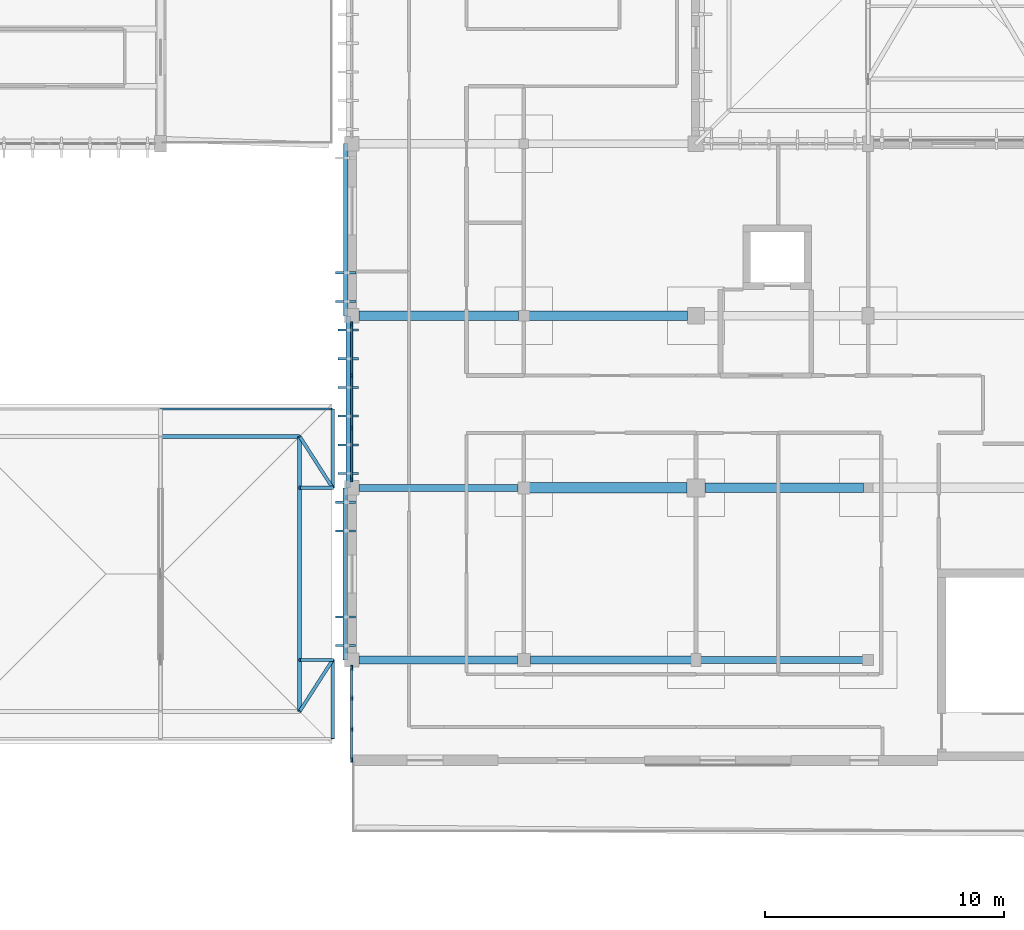
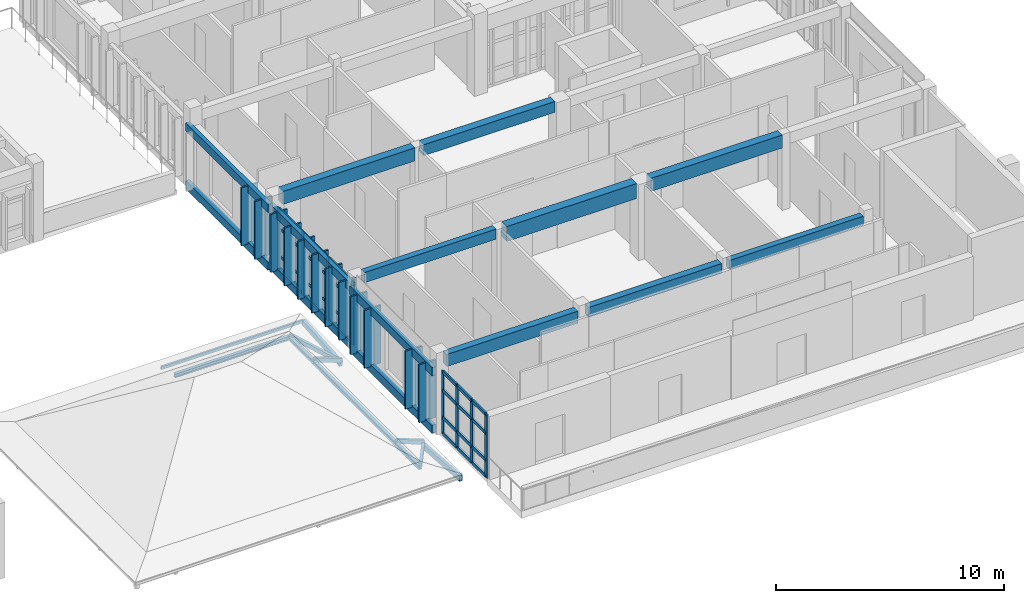
# One storey, part 9 of 51: 55 members, 14 beams, 2 elements without a shape of their own.
"""IFC4 building model written with IfcOpenShell, lengths in metres."""

import ifcopenshell
import ifcopenshell.guid

model = None  # the IFC model being written
_history = None  # IfcOwnerHistory: only IFC2X3 demands one
_inside = {}  # id of a spatial element -> (the spatial element, [elements in it])
_under = {}  # id of a project, library or spatial element -> (it, [spatial elements below it])
_declared = {}  # id of a project -> (the project, [libraries it declares])
_typed = {}  # id of a type object -> (the type object, [elements of that type])
_made_of = {}  # id of a material, layer set ... -> (it, [elements and type objects made of it])


def new_model(schema):
    """Start an empty IFC model of exactly this schema.

    Asked for "IFC4X3", IfcOpenShell would pick the latest addendum, in which some entities
    have other attributes; the version numbers below select the first issue.
    IFC2X3 requires an IfcOwnerHistory on every rooted entity: one is made here for all.
    """
    global model, _history
    if schema == "IFC4X3":
        model = ifcopenshell.file(schema_version=(4, 3, 0, 0))
    else:
        model = ifcopenshell.file(schema=schema)
    _inside.clear()
    _under.clear()
    _declared.clear()
    _typed.clear()
    _made_of.clear()
    _history = None
    if model.schema == "IFC2X3":
        org = make("IfcOrganization", Name="unknown")
        user = make(
            "IfcPersonAndOrganization",
            ThePerson=make("IfcPerson", FamilyName="unknown"),
            TheOrganization=org,
        )
        app = make(
            "IfcApplication",
            ApplicationDeveloper=org,
            Version="unknown",
            ApplicationFullName="unknown",
            ApplicationIdentifier="unknown",
        )
        _history = make(
            "IfcOwnerHistory",
            OwningUser=user,
            OwningApplication=app,
            ChangeAction="ADDED",
            CreationDate=0,
        )
    return model


def make(cls, **values):
    """One entity of the class cls with the attributes given. An attribute that is None is left unset."""
    return model.create_entity(
        cls, **{name: value for name, value in values.items() if value is not None}
    )


def rooted(cls, **values):
    """An entity with a GlobalId (a new one), such as an element, a storey or a relation."""
    return make(cls, GlobalId=ifcopenshell.guid.new(), OwnerHistory=_history, **values)


def si_unit(unit_type, name, prefix=None):
    """IfcSIUnit, for example si_unit("LENGTHUNIT", "METRE", prefix="MILLI")."""
    return make("IfcSIUnit", UnitType=unit_type, Prefix=prefix, Name=name)


def assignment(units):
    """IfcUnitAssignment: the units of a project."""
    return None if units is None else make("IfcUnitAssignment", Units=units)


def point(xyz):
    """IfcCartesianPoint."""
    return None if xyz is None else make("IfcCartesianPoint", Coordinates=xyz)


def direction(xyz):
    """IfcDirection."""
    return None if xyz is None else make("IfcDirection", DirectionRatios=xyz)


def frame(location, z_axis=None, x_axis=None):
    """IfcAxis2Placement3D, a coordinate frame: its origin and axes. An axis left out is left unset."""
    return make(
        "IfcAxis2Placement3D",
        Location=point(location),
        Axis=direction(z_axis),
        RefDirection=direction(x_axis),
    )


def frame_2d(location, x_axis=None):
    """IfcAxis2Placement2D, a coordinate frame in the plane: its origin and x axis."""
    return make(
        "IfcAxis2Placement2D", Location=point(location), RefDirection=direction(x_axis)
    )


def origin():
    """The frame at (0, 0, 0) with its axes left unset."""
    return frame((0.0, 0.0, 0.0))


def origin_2d():
    """The frame at (0, 0) in the plane with its x axis left unset."""
    return frame_2d((0.0, 0.0))


def place(relative_to, where):
    """IfcLocalPlacement: puts the frame where relative to a parent placement (None: the world)."""
    return make(
        "IfcLocalPlacement", PlacementRelTo=relative_to, RelativePlacement=where
    )


def context(
    kind, dimensions, precision=None, world=None, true_north=None, identifier=None
):
    """IfcGeometricRepresentationContext, for example the 3D "Model" context."""
    return make(
        "IfcGeometricRepresentationContext",
        ContextIdentifier=identifier,
        ContextType=kind,
        CoordinateSpaceDimension=dimensions,
        Precision=precision,
        WorldCoordinateSystem=world,
        TrueNorth=true_north,
    )


def subcontext(parent, identifier, kind, view, scale=None):
    """IfcGeometricRepresentationSubContext, for example "Body" below "Model"."""
    return make(
        "IfcGeometricRepresentationSubContext",
        ContextIdentifier=identifier,
        ContextType=kind,
        ParentContext=parent,
        TargetScale=scale,
        TargetView=view,
    )


def project(units=None, contexts=None):
    """IfcProject with its units and contexts."""
    return rooted(
        "IfcProject",
        Name="project",
        RepresentationContexts=contexts,
        UnitsInContext=assignment(units),
    )


def spatial(cls, under=None, at=None, **own):
    """A site, building, storey or space (cls), placed at a placement, below another one or the project."""
    s = rooted(cls, ObjectPlacement=at, **own)
    if under is not None:
        _under.setdefault(under.id(), (under, []))[1].append(s)
    return s


def profile(cls, at=None, kind="AREA", **sizes):
    """A parametric profile (cls). Its sizes go by their IFC names, for example OverallWidth=200.0."""
    return make(cls, ProfileType=kind, Position=at, **sizes)


def rectangle(**sizes):
    """IfcRectangleProfileDef."""
    return profile("IfcRectangleProfileDef", **sizes)


def hollow_rectangle(**sizes):
    """IfcRectangleHollowProfileDef."""
    return profile("IfcRectangleHollowProfileDef", **sizes)


def i_section(**sizes):
    """IfcIShapeProfileDef."""
    return profile("IfcIShapeProfileDef", **sizes)


def extrude(swept, where, along, depth):
    """IfcExtrudedAreaSolid: the profile swept, set in the frame where, extruded along a direction by depth."""
    return make(
        "IfcExtrudedAreaSolid",
        SweptArea=swept,
        Position=where,
        ExtrudedDirection=direction(along),
        Depth=depth,
    )


def shape(context_of_items, identifier, shape_type, items):
    """IfcShapeRepresentation: the items that make up one representation, for example the "Body"."""
    return make(
        "IfcShapeRepresentation",
        ContextOfItems=context_of_items,
        RepresentationIdentifier=identifier,
        RepresentationType=shape_type,
        Items=items,
    )


def material(Name=None, Category=None):
    """IfcMaterial."""
    return make("IfcMaterial", Name=Name, Category=Category)


def material_profile(
    of_material, cross_section, Name=None, Category=None, Priority=None
):
    """IfcMaterialProfile: a cross section and its material."""
    return make(
        "IfcMaterialProfile",
        Name=Name,
        Material=of_material,
        Profile=cross_section,
        Priority=Priority,
        Category=Category,
    )


def profile_set(profiles, Name=None, composite=None):
    """IfcMaterialProfileSet."""
    return make(
        "IfcMaterialProfileSet",
        Name=Name,
        MaterialProfiles=profiles,
        CompositeProfile=composite,
    )


def made_of(thing, what):
    """Note that an element or type object is made of a material, layer set ...; save() writes the relation."""
    if what is not None:
        _made_of.setdefault(what.id(), (what, []))[1].append(thing)
    return thing


def type_object(cls, material=None, **own):
    """A type object (cls), such as IfcWallType, which elements share."""
    return made_of(rooted(cls, **own), material)


def element(
    cls,
    number,
    at=None,
    inside=None,
    cuts=None,
    type_object=None,
    material=None,
    context=None,
    identifier="Body",
    shape_type=None,
    held_by="IfcProductDefinitionShape",
    body=None,
    shapes=None,
    **own,
):
    """One element of the class cls, such as IfcWall. Its Tag is "e" and its number.

    at: its placement. inside: the storey or other place that contains it. cuts: it is an
    opening in that element (IfcRelVoidsElement). A single representation is given by context,
    identifier, shape_type and body (its items); several are given by shapes. held_by: the class
    of the entity that holds the representations. save() writes the other relations.
    """
    e = rooted(cls, Tag="e%d" % number, ObjectPlacement=at, **own)
    if body is not None:
        shapes = [shape(context, identifier, shape_type, body)]
    if shapes is not None:
        e.Representation = make(held_by, Representations=shapes)
    if inside is not None:
        _inside.setdefault(inside.id(), (inside, []))[1].append(e)
    if cuts is not None:
        rooted(
            "IfcRelVoidsElement", RelatingBuildingElement=cuts, RelatedOpeningElement=e
        )
    if type_object is not None:
        _typed.setdefault(type_object.id(), (type_object, []))[1].append(e)
    return made_of(e, material)


def aggregate(whole, parts):
    """IfcRelAggregates: a whole, such as a stair, and the parts it consists of."""
    return rooted("IfcRelAggregates", RelatingObject=whole, RelatedObjects=parts)


def save(model, path):
    """Write the relations noted so far, then the file.

    IfcRelAggregates (storeys below a building ...), IfcRelContainedInSpatialStructure (elements
    in a storey), IfcRelDefinesByType, IfcRelAssociatesMaterial and IfcRelDeclares: one each for
    every whole, place, type object, material and project.
    """
    for whole, parts in _under.values():
        aggregate(whole, parts)
    for where, things in _inside.values():
        rooted(
            "IfcRelContainedInSpatialStructure",
            RelatedElements=things,
            RelatingStructure=where,
        )
    for kind, things in _typed.values():
        rooted("IfcRelDefinesByType", RelatedObjects=things, RelatingType=kind)
    for what, things in _made_of.values():
        rooted("IfcRelAssociatesMaterial", RelatedObjects=things, RelatingMaterial=what)
    for by, libraries in _declared.values():
        rooted("IfcRelDeclares", RelatingContext=by, RelatedDefinitions=libraries)
    model.write(path)


model = new_model("IFC4")

# Units and contexts
model_context = context("Model", 3, precision=1e-05, world=origin(), true_north=direction((0.0, 1.0)))
body_context = subcontext(model_context, "Body", "Model", "MODEL_VIEW")
ifc_project = project(units=[si_unit("LENGTHUNIT", "METRE"), si_unit("AREAUNIT", "SQUARE_METRE"), si_unit("VOLUMEUNIT", "CUBIC_METRE"), si_unit("PLANEANGLEUNIT", "RADIAN"), si_unit("MASSUNIT", "GRAM", prefix="KILO")], contexts=[model_context])

# Site, building, storey
site_placement = place(None, origin())
site = spatial("IfcSite", under=ifc_project, at=site_placement, CompositionType="ELEMENT")
building_placement = place(site_placement, origin())
building = spatial("IfcBuilding", under=site, at=building_placement, Name="Steenspoor Specialist Clinic", CompositionType="ELEMENT")
storey_placement = place(building_placement, frame((0.0, 0.0, 17.39990234375)))
storey = spatial("IfcBuildingStorey", under=building, at=storey_placement, Name="L04", CompositionType="ELEMENT", Elevation=17.39990234375)

# Beams
ifc_material_1 = material(Name="Glulam GL28h", Category="wood")
ifc_material_profile_1 = material_profile(ifc_material_1, rectangle(XDim=0.199951171875, YDim=0.43994140625, at=origin_2d()), Name="GL28H-200X440")
ifc_profile_set_1 = profile_set([ifc_material_profile_1], Name="Glulam GL28h")
beam_type_1 = type_object("IfcBeamType", Name="BM-GL-200X440", PredefinedType="BEAM", material=ifc_profile_set_1)
for number, where, z_axis, x_axis, name in (
    (1, (117.735107421875, 72.35009765625, 0.14013671875), (0.0, 1.0, 0.0), (-1.0, 0.0, 0.0), "Timber Screen Tie Rail V6 L04 249"),
    (2, (117.735107421875, 72.35009765625, 3.22998046875), (0.0, 1.0, 0.0), (-1.0, 0.0, 0.0), "Timber Screen Tie Rail V6 L04 250"),
    (3, (117.85009765625, 79.550048828125, 0.14013671875), (0.0, 1.0, 0.0), (-1.0, 0.0, 0.0), "Timber Screen Tie Rail V6 L04 255"),
    (4, (117.85009765625, 79.550048828125, 3.22998046875), (0.0, 1.0, 0.0), (-1.0, 0.0, 0.0), "Timber Screen Tie Rail V6 L04 256"),
    (5, (117.75, 86.75, 0.14013671875), (0.0, 1.0, 0.0), (-1.0, 0.0, 0.0), "Timber Screen Tie Rail V6 L04 263"),
    (6, (117.75, 86.75, 3.22998046875), (0.0, 1.0, 0.0), (-1.0, 0.0, 0.0), "Timber Screen Tie Rail V6 L04 264"),
):
    element("IfcBeam", number, at=place(storey_placement, frame(where, z_axis=z_axis, x_axis=x_axis)), inside=storey, type_object=beam_type_1, Name=name, PredefinedType="BEAM", context=body_context, shape_type="SweptSolid", body=[
        extrude(rectangle(XDim=0.199951171875, YDim=0.43994140625, at=origin_2d()), origin(), (0.0, 0.0, 1.0), 7.199951171875),
    ])
ifc_material_2 = material(Name="Concrete C35/45", Category="concrete")
ifc_material_profile_2 = material_profile(ifc_material_2, rectangle(XDim=0.300048828125, YDim=0.47998046875, at=origin_2d()), Name="RC-BM-300X480")
ifc_profile_set_2 = profile_set([ifc_material_profile_2], Name="Concrete C35/45")
beam_type_2 = type_object("IfcBeamType", Name="BM-RC-300X480", PredefinedType="BEAM", material=ifc_profile_set_2)
beam_1_placement = place(storey_placement, frame((132.594970703125, 72.35009765625, 3.795166015625), z_axis=(1.0, 0.0, 0.0), x_axis=(0.0, 1.0, 0.0)))
element("IfcBeam", 7, at=beam_1_placement, inside=storey, type_object=beam_type_2, Name="BM-V6-L04-X1787", PredefinedType="BEAM", context=body_context, shape_type="SweptSolid", body=[
    extrude(rectangle(XDim=0.300048828125, YDim=0.47998046875, at=origin_2d()), origin(), (0.0, 0.0, 1.0), 6.784912109375),
])
ifc_material_profile_3 = material_profile(ifc_material_2, rectangle(XDim=0.300048828125, YDim=0.550048828125, at=origin_2d()), Name="RC-BM-300X550")
ifc_profile_set_3 = profile_set([ifc_material_profile_3], Name="Concrete C35/45")
beam_type_3 = type_object("IfcBeamType", Name="BM-RC-300X550", PredefinedType="BEAM", material=ifc_profile_set_3)
beam_2_placement = place(storey_placement, frame((118.294921875, 79.550048828125, 3.760009765625), z_axis=(1.0, 0.0, 0.0), x_axis=(0.0, 1.0, 0.0)))
element("IfcBeam", 8, at=beam_2_placement, inside=storey, type_object=beam_type_3, Name="BM-V6-L04-X1788", PredefinedType="BEAM", context=body_context, shape_type="SweptSolid", body=[
    extrude(rectangle(XDim=0.300048828125, YDim=0.550048828125, at=origin_2d()), origin(), (0.0, 0.0, 1.0), 6.66015625),
])
ifc_material_profile_4 = material_profile(ifc_material_2, rectangle(XDim=0.35009765625, YDim=0.52001953125, at=origin_2d()), Name="RC-BM-350X520")
ifc_profile_set_4 = profile_set([ifc_material_profile_4], Name="Concrete C35/45")
beam_type_4 = type_object("IfcBeamType", Name="BM-RC-350X520", PredefinedType="BEAM", material=ifc_profile_set_4)
beam_3_placement = place(storey_placement, frame((125.469970703125, 72.35009765625, 3.775146484375), z_axis=(1.0, 0.0, 0.0), x_axis=(0.0, 1.0, 0.0)))
element("IfcBeam", 9, at=beam_3_placement, inside=storey, type_object=beam_type_4, Name="BM-V6-L04-X1786", PredefinedType="BEAM", context=body_context, shape_type="SweptSolid", body=[
    extrude(rectangle(XDim=0.35009765625, YDim=0.52001953125, at=origin_2d()), origin(), (0.0, 0.0, 1.0), 6.735107421875),
])
ifc_material_profile_5 = material_profile(ifc_material_2, rectangle(XDim=0.35009765625, YDim=0.64990234375, at=origin_2d()), Name="RC-BM-350X650")
ifc_profile_set_5 = profile_set([ifc_material_profile_5], Name="Concrete C35/45")
beam_type_5 = type_object("IfcBeamType", Name="BM-RC-350X650", PredefinedType="BEAM", material=ifc_profile_set_5)
beam_4_placement = place(storey_placement, frame((118.294921875, 72.35009765625, 3.710205078125), z_axis=(1.0, 0.0, 0.0), x_axis=(0.0, 1.0, 0.0)))
element("IfcBeam", 10, at=beam_4_placement, inside=storey, type_object=beam_type_5, Name="BM-V6-L04-X1785", PredefinedType="BEAM", context=body_context, shape_type="SweptSolid", body=[
    extrude(rectangle(XDim=0.35009765625, YDim=0.64990234375, at=origin_2d()), origin(), (0.0, 0.0, 1.0), 6.635009765625),
])
ifc_material_profile_6 = material_profile(ifc_material_2, rectangle(XDim=0.39990234375, YDim=0.580078125, at=origin_2d()), Name="RC-BM-400X580")
ifc_profile_set_6 = profile_set([ifc_material_profile_6], Name="Concrete C35/45")
beam_type_6 = type_object("IfcBeamType", Name="BM-RC-400X580", PredefinedType="BEAM", material=ifc_profile_set_6)
beam_5_placement = place(storey_placement, frame((125.419921875, 86.75, 3.7451171875), z_axis=(1.0, 0.0, 0.0), x_axis=(0.0, 1.0, 0.0)))
element("IfcBeam", 11, at=beam_5_placement, inside=storey, type_object=beam_type_6, Name="BM-V6-L04-X1793", PredefinedType="BEAM", context=body_context, shape_type="SweptSolid", body=[
    extrude(rectangle(XDim=0.39990234375, YDim=0.580078125, at=origin_2d()), origin(), (0.0, 0.0, 1.0), 6.635009765625),
])
ifc_material_profile_7 = material_profile(ifc_material_2, rectangle(XDim=0.39990234375, YDim=0.699951171875, at=origin_2d()), Name="RC-BM-400X700")
ifc_profile_set_7 = profile_set([ifc_material_profile_7], Name="Concrete C35/45")
beam_type_7 = type_object("IfcBeamType", Name="BM-RC-400X700", PredefinedType="BEAM", material=ifc_profile_set_7)
beam_6_placement = place(storey_placement, frame((132.77001953125, 79.550048828125, 3.68505859375), z_axis=(1.0, 0.0, 0.0), x_axis=(0.0, 1.0, 0.0)))
element("IfcBeam", 12, at=beam_6_placement, inside=storey, type_object=beam_type_7, Name="BM-V6-L04-X1790", PredefinedType="BEAM", context=body_context, shape_type="SweptSolid", body=[
    extrude(rectangle(XDim=0.39990234375, YDim=0.699951171875, at=origin_2d()), origin(), (0.0, 0.0, 1.0), 6.635009765625),
])
beam_7_placement = place(storey_placement, frame((118.294921875, 86.75, 3.68505859375), z_axis=(1.0, 0.0, 0.0), x_axis=(0.0, 1.0, 0.0)))
element("IfcBeam", 13, at=beam_7_placement, inside=storey, type_object=beam_type_7, Name="BM-V6-L04-X1792", PredefinedType="BEAM", context=body_context, shape_type="SweptSolid", body=[
    extrude(rectangle(XDim=0.39990234375, YDim=0.699951171875, at=origin_2d()), origin(), (0.0, 0.0, 1.0), 6.68505859375),
])
ifc_material_profile_8 = material_profile(ifc_material_2, rectangle(XDim=0.449951171875, YDim=0.800048828125, at=origin_2d()), Name="RC-BM-450X800")
ifc_profile_set_8 = profile_set([ifc_material_profile_8], Name="Concrete C35/45")
beam_type_8 = type_object("IfcBeamType", Name="BM-RC-450X800", PredefinedType="BEAM", material=ifc_profile_set_8)
beam_8_placement = place(storey_placement, frame((125.445068359375, 79.550048828125, 3.635009765625), z_axis=(1.0, 0.0, 0.0), x_axis=(0.0, 1.0, 0.0)))
element("IfcBeam", 14, at=beam_8_placement, inside=storey, type_object=beam_type_8, Name="BM-V6-L04-X1789", PredefinedType="BEAM", context=body_context, shape_type="SweptSolid", body=[
    extrude(rectangle(XDim=0.449951171875, YDim=0.800048828125, at=origin_2d()), origin(), (0.0, 0.0, 1.0), 6.5849609375),
])

# Curtain wall, members
ifc_material_3 = material(Name="Thermally broken aluminium and low-emissivity glass", Category="aluminium")
curtain_wall_type_1 = type_object("IfcCurtainWallType", Name="CW-TYP-420X355", PredefinedType="USERDEFINED", material=ifc_material_3)
curtain_wall_1_placement = place(storey_placement, origin())
curtain_wall_1 = element("IfcCurtainWall", 15, at=curtain_wall_1_placement, inside=storey, type_object=curtain_wall_type_1, Name="Unitised Curtain Wall CW-V6-L04-205", ObjectType="UNITISED GLAZING", PredefinedType="USERDEFINED")
ifc_material_4 = material(Name="Thermally broken aluminium 6063-T6", Category="aluminium")
ifc_material_profile_9 = material_profile(ifc_material_4, rectangle(XDim=0.080078125, YDim=0.179931640625, at=origin_2d()), Name="CWM-80X180")
ifc_profile_set_9 = profile_set([ifc_material_profile_9], Name="Thermally broken aluminium 6063-T6")
member_type_1 = type_object("IfcMemberType", Name="CW-MULL-80X180", PredefinedType="MULLION", material=ifc_profile_set_9)
member_1_placement = place(storey_placement, frame((118.0, 79.889892578125, 0.0), z_axis=(0.0, 0.0, 1.0), x_axis=(-1.0, 0.0, 0.0)))
member_1 = element("IfcMember", 16, at=member_1_placement, type_object=member_type_1, Name="CW-13 mullion 1", PredefinedType="MULLION", context=body_context, shape_type="SweptSolid", body=[
    extrude(rectangle(XDim=0.080078125, YDim=0.179931640625, at=origin_2d()), origin(), (0.0, 0.0, 1.0), 3.380126953125),
])
member_2_placement = place(storey_placement, frame((118.0, 82.050048828125, 0.0), z_axis=(0.0, 0.0, 1.0), x_axis=(-1.0, 0.0, 0.0)))
member_2 = element("IfcMember", 17, at=member_2_placement, type_object=member_type_1, Name="CW-13 mullion 2", PredefinedType="MULLION", context=body_context, shape_type="SweptSolid", body=[
    extrude(rectangle(XDim=0.080078125, YDim=0.179931640625, at=origin_2d()), origin(), (0.0, 0.0, 1.0), 3.380126953125),
])
member_3_placement = place(storey_placement, frame((118.0, 84.25, 0.0), z_axis=(0.0, 0.0, 1.0), x_axis=(-1.0, 0.0, 0.0)))
member_3 = element("IfcMember", 18, at=member_3_placement, type_object=member_type_1, Name="CW-13 mullion 3", PredefinedType="MULLION", context=body_context, shape_type="SweptSolid", body=[
    extrude(rectangle(XDim=0.080078125, YDim=0.179931640625, at=origin_2d()), origin(), (0.0, 0.0, 1.0), 3.380126953125),
])
member_4_placement = place(storey_placement, frame((118.0, 86.409912109375, 0.0), z_axis=(0.0, 0.0, 1.0), x_axis=(-1.0, 0.0, 0.0)))
member_4 = element("IfcMember", 19, at=member_4_placement, type_object=member_type_1, Name="CW-13 mullion 4", PredefinedType="MULLION", context=body_context, shape_type="SweptSolid", body=[
    extrude(rectangle(XDim=0.080078125, YDim=0.179931640625, at=origin_2d()), origin(), (0.0, 0.0, 1.0), 3.380126953125),
])

curtain_wall_type_2 = type_object("IfcCurtainWallType", Name="CW-TYP-480X355", PredefinedType="USERDEFINED", material=ifc_material_3)
curtain_wall_2_placement = place(storey_placement, origin())
curtain_wall_2 = element("IfcCurtainWall", 20, at=curtain_wall_2_placement, inside=storey, type_object=curtain_wall_type_2, Name="Unitised Curtain Wall CW-V6-L04-204", ObjectType="UNITISED GLAZING", PredefinedType="USERDEFINED")
ifc_material_profile_10 = material_profile(ifc_material_4, rectangle(XDim=0.080078125, YDim=0.219970703125, at=origin_2d()), Name="CWM-80X220")
ifc_profile_set_10 = profile_set([ifc_material_profile_10], Name="Thermally broken aluminium 6063-T6")
member_type_2 = type_object("IfcMemberType", Name="CW-MULL-80X220", PredefinedType="MULLION", material=ifc_profile_set_10)
member_5_placement = place(storey_placement, frame((118.0, 68.18994140625, 0.0), z_axis=(0.0, 0.0, 1.0), x_axis=(-1.0, 0.0, 0.0)))
member_5 = element("IfcMember", 21, at=member_5_placement, type_object=member_type_2, Name="CW-12 mullion 1", PredefinedType="MULLION", context=body_context, shape_type="SweptSolid", body=[
    extrude(rectangle(XDim=0.080078125, YDim=0.219970703125, at=origin_2d()), origin(), (0.0, 0.0, 1.0), 3.380126953125),
])
member_6_placement = place(storey_placement, frame((118.0, 69.449951171875, 0.0), z_axis=(0.0, 0.0, 1.0), x_axis=(-1.0, 0.0, 0.0)))
member_6 = element("IfcMember", 22, at=member_6_placement, type_object=member_type_2, Name="CW-12 mullion 2", PredefinedType="MULLION", context=body_context, shape_type="SweptSolid", body=[
    extrude(rectangle(XDim=0.080078125, YDim=0.219970703125, at=origin_2d()), origin(), (0.0, 0.0, 1.0), 3.380126953125),
])
member_7_placement = place(storey_placement, frame((118.0, 70.75, 0.0), z_axis=(0.0, 0.0, 1.0), x_axis=(-1.0, 0.0, 0.0)))
member_7 = element("IfcMember", 23, at=member_7_placement, type_object=member_type_2, Name="CW-12 mullion 3", PredefinedType="MULLION", context=body_context, shape_type="SweptSolid", body=[
    extrude(rectangle(XDim=0.080078125, YDim=0.219970703125, at=origin_2d()), origin(), (0.0, 0.0, 1.0), 3.380126953125),
])
member_8_placement = place(storey_placement, frame((118.0, 72.010009765625, 0.0), z_axis=(0.0, 0.0, 1.0), x_axis=(-1.0, 0.0, 0.0)))
member_8 = element("IfcMember", 24, at=member_8_placement, type_object=member_type_2, Name="CW-12 mullion 4", PredefinedType="MULLION", context=body_context, shape_type="SweptSolid", body=[
    extrude(rectangle(XDim=0.080078125, YDim=0.219970703125, at=origin_2d()), origin(), (0.0, 0.0, 1.0), 3.380126953125),
])

# Member
ifc_material_profile_11 = material_profile(ifc_material_4, rectangle(XDim=0.080078125, YDim=0.159912109375, at=origin_2d()), Name="CWT-80X160")
ifc_profile_set_11 = profile_set([ifc_material_profile_11], Name="Thermally broken aluminium 6063-T6")
member_type_3 = type_object("IfcMemberType", Name="CW-TRAN-80X160", PredefinedType="USERDEFINED", material=ifc_profile_set_11)
member_9_placement = place(storey_placement, frame((118.0, 79.929931640625, 0.0400390625), z_axis=(0.0, 1.0, 0.0), x_axis=(-1.0, 0.0, 0.0)))
member_9 = element("IfcMember", 25, at=member_9_placement, type_object=member_type_3, Name="CW-13 transom 1.1", ObjectType="TRANSOM", PredefinedType="USERDEFINED", context=body_context, shape_type="SweptSolid", body=[
    extrude(rectangle(XDim=0.080078125, YDim=0.159912109375, at=origin_2d()), origin(), (0.0, 0.0, 1.0), 2.080078125),
])

member_10_placement = place(storey_placement, frame((118.0, 79.929931640625, 0.900146484375), z_axis=(0.0, 1.0, 0.0), x_axis=(-1.0, 0.0, 0.0)))
member_10 = element("IfcMember", 26, at=member_10_placement, type_object=member_type_3, Name="CW-13 transom 1.2", ObjectType="TRANSOM", PredefinedType="USERDEFINED", context=body_context, shape_type="SweptSolid", body=[
    extrude(rectangle(XDim=0.080078125, YDim=0.159912109375, at=origin_2d()), origin(), (0.0, 0.0, 1.0), 2.080078125),
])

member_11_placement = place(storey_placement, frame((118.0, 79.929931640625, 2.35009765625), z_axis=(0.0, 1.0, 0.0), x_axis=(-1.0, 0.0, 0.0)))
member_11 = element("IfcMember", 27, at=member_11_placement, type_object=member_type_3, Name="CW-13 transom 1.3", ObjectType="TRANSOM", PredefinedType="USERDEFINED", context=body_context, shape_type="SweptSolid", body=[
    extrude(rectangle(XDim=0.080078125, YDim=0.159912109375, at=origin_2d()), origin(), (0.0, 0.0, 1.0), 2.080078125),
])

member_12_placement = place(storey_placement, frame((118.0, 79.929931640625, 3.340087890625), z_axis=(0.0, 1.0, 0.0), x_axis=(-1.0, 0.0, 0.0)))
member_12 = element("IfcMember", 28, at=member_12_placement, type_object=member_type_3, Name="CW-13 transom 1.4", ObjectType="TRANSOM", PredefinedType="USERDEFINED", context=body_context, shape_type="SweptSolid", body=[
    extrude(rectangle(XDim=0.080078125, YDim=0.159912109375, at=origin_2d()), origin(), (0.0, 0.0, 1.0), 2.080078125),
])

member_13_placement = place(storey_placement, frame((118.0, 82.090087890625, 0.0400390625), z_axis=(0.0, 1.0, 0.0), x_axis=(-1.0, 0.0, 0.0)))
member_13 = element("IfcMember", 29, at=member_13_placement, type_object=member_type_3, Name="CW-13 transom 2.1", ObjectType="TRANSOM", PredefinedType="USERDEFINED", context=body_context, shape_type="SweptSolid", body=[
    extrude(rectangle(XDim=0.080078125, YDim=0.159912109375, at=origin_2d()), origin(), (0.0, 0.0, 1.0), 2.119873046875),
])

member_14_placement = place(storey_placement, frame((118.0, 82.090087890625, 0.900146484375), z_axis=(0.0, 1.0, 0.0), x_axis=(-1.0, 0.0, 0.0)))
member_14 = element("IfcMember", 30, at=member_14_placement, type_object=member_type_3, Name="CW-13 transom 2.2", ObjectType="TRANSOM", PredefinedType="USERDEFINED", context=body_context, shape_type="SweptSolid", body=[
    extrude(rectangle(XDim=0.080078125, YDim=0.159912109375, at=origin_2d()), origin(), (0.0, 0.0, 1.0), 2.119873046875),
])

member_15_placement = place(storey_placement, frame((118.0, 82.090087890625, 2.35009765625), z_axis=(0.0, 1.0, 0.0), x_axis=(-1.0, 0.0, 0.0)))
member_15 = element("IfcMember", 31, at=member_15_placement, type_object=member_type_3, Name="CW-13 transom 2.3", ObjectType="TRANSOM", PredefinedType="USERDEFINED", context=body_context, shape_type="SweptSolid", body=[
    extrude(rectangle(XDim=0.080078125, YDim=0.159912109375, at=origin_2d()), origin(), (0.0, 0.0, 1.0), 2.119873046875),
])

member_16_placement = place(storey_placement, frame((118.0, 82.090087890625, 3.340087890625), z_axis=(0.0, 1.0, 0.0), x_axis=(-1.0, 0.0, 0.0)))
member_16 = element("IfcMember", 32, at=member_16_placement, type_object=member_type_3, Name="CW-13 transom 2.4", ObjectType="TRANSOM", PredefinedType="USERDEFINED", context=body_context, shape_type="SweptSolid", body=[
    extrude(rectangle(XDim=0.080078125, YDim=0.159912109375, at=origin_2d()), origin(), (0.0, 0.0, 1.0), 2.119873046875),
])

member_17_placement = place(storey_placement, frame((118.0, 84.2900390625, 0.0400390625), z_axis=(0.0, 1.0, 0.0), x_axis=(-1.0, 0.0, 0.0)))
member_17 = element("IfcMember", 33, at=member_17_placement, type_object=member_type_3, Name="CW-13 transom 3.1", ObjectType="TRANSOM", PredefinedType="USERDEFINED", context=body_context, shape_type="SweptSolid", body=[
    extrude(rectangle(XDim=0.080078125, YDim=0.159912109375, at=origin_2d()), origin(), (0.0, 0.0, 1.0), 2.080078125),
])

member_18_placement = place(storey_placement, frame((118.0, 84.2900390625, 0.900146484375), z_axis=(0.0, 1.0, 0.0), x_axis=(-1.0, 0.0, 0.0)))
member_18 = element("IfcMember", 34, at=member_18_placement, type_object=member_type_3, Name="CW-13 transom 3.2", ObjectType="TRANSOM", PredefinedType="USERDEFINED", context=body_context, shape_type="SweptSolid", body=[
    extrude(rectangle(XDim=0.080078125, YDim=0.159912109375, at=origin_2d()), origin(), (0.0, 0.0, 1.0), 2.080078125),
])

member_19_placement = place(storey_placement, frame((118.0, 84.2900390625, 2.35009765625), z_axis=(0.0, 1.0, 0.0), x_axis=(-1.0, 0.0, 0.0)))
member_19 = element("IfcMember", 35, at=member_19_placement, type_object=member_type_3, Name="CW-13 transom 3.3", ObjectType="TRANSOM", PredefinedType="USERDEFINED", context=body_context, shape_type="SweptSolid", body=[
    extrude(rectangle(XDim=0.080078125, YDim=0.159912109375, at=origin_2d()), origin(), (0.0, 0.0, 1.0), 2.080078125),
])

member_20_placement = place(storey_placement, frame((118.0, 84.2900390625, 3.340087890625), z_axis=(0.0, 1.0, 0.0), x_axis=(-1.0, 0.0, 0.0)))
member_20 = element("IfcMember", 36, at=member_20_placement, type_object=member_type_3, Name="CW-13 transom 3.4", ObjectType="TRANSOM", PredefinedType="USERDEFINED", context=body_context, shape_type="SweptSolid", body=[
    extrude(rectangle(XDim=0.080078125, YDim=0.159912109375, at=origin_2d()), origin(), (0.0, 0.0, 1.0), 2.080078125),
])

aggregate(curtain_wall_1, [member_1, member_2, member_3, member_4, member_9, member_10, member_11, member_12, member_13, member_14, member_15, member_16, member_17, member_18, member_19, member_20])

ifc_material_profile_12 = material_profile(ifc_material_4, rectangle(XDim=0.090087890625, YDim=0.175048828125, at=origin_2d()), Name="CWT-90X175")
ifc_profile_set_12 = profile_set([ifc_material_profile_12], Name="Thermally broken aluminium 6063-T6")
member_type_4 = type_object("IfcMemberType", Name="CW-TRAN-90X175", PredefinedType="USERDEFINED", material=ifc_profile_set_12)
member_21_placement = place(storey_placement, frame((118.0, 68.22998046875, 0.045166015625), z_axis=(0.0, 1.0, 0.0), x_axis=(-1.0, 0.0, 0.0)))
member_21 = element("IfcMember", 37, at=member_21_placement, type_object=member_type_4, Name="CW-12 transom 1.1", ObjectType="TRANSOM", PredefinedType="USERDEFINED", context=body_context, shape_type="SweptSolid", body=[
    extrude(rectangle(XDim=0.090087890625, YDim=0.175048828125, at=origin_2d()), origin(), (0.0, 0.0, 1.0), 1.179931640625),
])

member_22_placement = place(storey_placement, frame((118.0, 68.22998046875, 0.900146484375), z_axis=(0.0, 1.0, 0.0), x_axis=(-1.0, 0.0, 0.0)))
member_22 = element("IfcMember", 38, at=member_22_placement, type_object=member_type_4, Name="CW-12 transom 1.2", ObjectType="TRANSOM", PredefinedType="USERDEFINED", context=body_context, shape_type="SweptSolid", body=[
    extrude(rectangle(XDim=0.090087890625, YDim=0.175048828125, at=origin_2d()), origin(), (0.0, 0.0, 1.0), 1.179931640625),
])

member_23_placement = place(storey_placement, frame((118.0, 68.22998046875, 2.35009765625), z_axis=(0.0, 1.0, 0.0), x_axis=(-1.0, 0.0, 0.0)))
member_23 = element("IfcMember", 39, at=member_23_placement, type_object=member_type_4, Name="CW-12 transom 1.3", ObjectType="TRANSOM", PredefinedType="USERDEFINED", context=body_context, shape_type="SweptSolid", body=[
    extrude(rectangle(XDim=0.090087890625, YDim=0.175048828125, at=origin_2d()), origin(), (0.0, 0.0, 1.0), 1.179931640625),
])

member_24_placement = place(storey_placement, frame((118.0, 68.22998046875, 3.335205078125), z_axis=(0.0, 1.0, 0.0), x_axis=(-1.0, 0.0, 0.0)))
member_24 = element("IfcMember", 40, at=member_24_placement, type_object=member_type_4, Name="CW-12 transom 1.4", ObjectType="TRANSOM", PredefinedType="USERDEFINED", context=body_context, shape_type="SweptSolid", body=[
    extrude(rectangle(XDim=0.090087890625, YDim=0.175048828125, at=origin_2d()), origin(), (0.0, 0.0, 1.0), 1.179931640625),
])

member_25_placement = place(storey_placement, frame((118.0, 69.489990234375, 0.045166015625), z_axis=(0.0, 1.0, 0.0), x_axis=(-1.0, 0.0, 0.0)))
member_25 = element("IfcMember", 41, at=member_25_placement, type_object=member_type_4, Name="CW-12 transom 2.1", ObjectType="TRANSOM", PredefinedType="USERDEFINED", context=body_context, shape_type="SweptSolid", body=[
    extrude(rectangle(XDim=0.090087890625, YDim=0.175048828125, at=origin_2d()), origin(), (0.0, 0.0, 1.0), 1.219970703125),
])

member_26_placement = place(storey_placement, frame((118.0, 69.489990234375, 0.900146484375), z_axis=(0.0, 1.0, 0.0), x_axis=(-1.0, 0.0, 0.0)))
member_26 = element("IfcMember", 42, at=member_26_placement, type_object=member_type_4, Name="CW-12 transom 2.2", ObjectType="TRANSOM", PredefinedType="USERDEFINED", context=body_context, shape_type="SweptSolid", body=[
    extrude(rectangle(XDim=0.090087890625, YDim=0.175048828125, at=origin_2d()), origin(), (0.0, 0.0, 1.0), 1.219970703125),
])

member_27_placement = place(storey_placement, frame((118.0, 69.489990234375, 2.35009765625), z_axis=(0.0, 1.0, 0.0), x_axis=(-1.0, 0.0, 0.0)))
member_27 = element("IfcMember", 43, at=member_27_placement, type_object=member_type_4, Name="CW-12 transom 2.3", ObjectType="TRANSOM", PredefinedType="USERDEFINED", context=body_context, shape_type="SweptSolid", body=[
    extrude(rectangle(XDim=0.090087890625, YDim=0.175048828125, at=origin_2d()), origin(), (0.0, 0.0, 1.0), 1.219970703125),
])

member_28_placement = place(storey_placement, frame((118.0, 69.489990234375, 3.335205078125), z_axis=(0.0, 1.0, 0.0), x_axis=(-1.0, 0.0, 0.0)))
member_28 = element("IfcMember", 44, at=member_28_placement, type_object=member_type_4, Name="CW-12 transom 2.4", ObjectType="TRANSOM", PredefinedType="USERDEFINED", context=body_context, shape_type="SweptSolid", body=[
    extrude(rectangle(XDim=0.090087890625, YDim=0.175048828125, at=origin_2d()), origin(), (0.0, 0.0, 1.0), 1.219970703125),
])

member_29_placement = place(storey_placement, frame((118.0, 70.7900390625, 0.045166015625), z_axis=(0.0, 1.0, 0.0), x_axis=(-1.0, 0.0, 0.0)))
member_29 = element("IfcMember", 45, at=member_29_placement, type_object=member_type_4, Name="CW-12 transom 3.1", ObjectType="TRANSOM", PredefinedType="USERDEFINED", context=body_context, shape_type="SweptSolid", body=[
    extrude(rectangle(XDim=0.090087890625, YDim=0.175048828125, at=origin_2d()), origin(), (0.0, 0.0, 1.0), 1.179931640625),
])

member_30_placement = place(storey_placement, frame((118.0, 70.7900390625, 0.900146484375), z_axis=(0.0, 1.0, 0.0), x_axis=(-1.0, 0.0, 0.0)))
member_30 = element("IfcMember", 46, at=member_30_placement, type_object=member_type_4, Name="CW-12 transom 3.2", ObjectType="TRANSOM", PredefinedType="USERDEFINED", context=body_context, shape_type="SweptSolid", body=[
    extrude(rectangle(XDim=0.090087890625, YDim=0.175048828125, at=origin_2d()), origin(), (0.0, 0.0, 1.0), 1.179931640625),
])

member_31_placement = place(storey_placement, frame((118.0, 70.7900390625, 2.35009765625), z_axis=(0.0, 1.0, 0.0), x_axis=(-1.0, 0.0, 0.0)))
member_31 = element("IfcMember", 47, at=member_31_placement, type_object=member_type_4, Name="CW-12 transom 3.3", ObjectType="TRANSOM", PredefinedType="USERDEFINED", context=body_context, shape_type="SweptSolid", body=[
    extrude(rectangle(XDim=0.090087890625, YDim=0.175048828125, at=origin_2d()), origin(), (0.0, 0.0, 1.0), 1.179931640625),
])

member_32_placement = place(storey_placement, frame((118.0, 70.7900390625, 3.335205078125), z_axis=(0.0, 1.0, 0.0), x_axis=(-1.0, 0.0, 0.0)))
member_32 = element("IfcMember", 48, at=member_32_placement, type_object=member_type_4, Name="CW-12 transom 3.4", ObjectType="TRANSOM", PredefinedType="USERDEFINED", context=body_context, shape_type="SweptSolid", body=[
    extrude(rectangle(XDim=0.090087890625, YDim=0.175048828125, at=origin_2d()), origin(), (0.0, 0.0, 1.0), 1.179931640625),
])

aggregate(curtain_wall_2, [member_5, member_6, member_7, member_8, member_21, member_22, member_23, member_24, member_25, member_26, member_27, member_28, member_29, member_30, member_31, member_32])

# Members
ifc_material_5 = material(Name="Steel A500 Grade C", Category="steel")
ifc_material_profile_13 = material_profile(ifc_material_5, hollow_rectangle(XDim=0.1015625, YDim=0.15234375, WallThickness=0.005859375, at=origin_2d()), Name="HSS152X102X6.4")
ifc_profile_set_13 = profile_set([ifc_material_profile_13], Name="Steel A500 Grade C")
member_type_5 = type_object("IfcMemberType", Name="MEM-PURLIN-H152", PredefinedType="PURLIN", material=ifc_profile_set_13)
member_33_placement = place(storey_placement, frame((110.0, 82.85009765625, -0.2431640625), z_axis=(1.0, 0.0, 0.0), x_axis=(0.0, 1.0, 0.0)))
element("IfcMember", 49, at=member_33_placement, inside=storey, type_object=member_type_5, Name="ROOF TRUSS Eave Fascia 259", PredefinedType="PURLIN", context=body_context, shape_type="SweptSolid", body=[
    extrude(hollow_rectangle(XDim=0.1015625, YDim=0.15234375, WallThickness=0.005859375, at=origin_2d()), origin(), (0.0, 0.0, 1.0), 7.199951171875),
])
ifc_material_6 = material(Name="Steel A992 Grade 50", Category="steel")
ifc_material_profile_14 = material_profile(ifc_material_6, i_section(OverallWidth=0.1650390625, OverallDepth=0.200927734375, WebThickness=0.006103515625, FlangeThickness=0.01025390625, at=origin_2d()), Name="W200X36")
ifc_profile_set_14 = profile_set([ifc_material_profile_14], Name="Steel A992 Grade 50")
member_type_6 = type_object("IfcMemberType", Name="MEM-PURLIN-W200", PredefinedType="PURLIN", material=ifc_profile_set_14)
member_34_placement = place(storey_placement, frame((110.0, 81.699951171875, 0.052490234375), z_axis=(1.0, 0.0, 0.0), x_axis=(0.0, 1.0, 0.0)))
element("IfcMember", 50, at=member_34_placement, inside=storey, type_object=member_type_6, Name="ROOF TRUSS Knuckle Purlin 268", PredefinedType="PURLIN", context=body_context, shape_type="SweptSolid", body=[
    extrude(i_section(OverallWidth=0.1650390625, OverallDepth=0.200927734375, WebThickness=0.006103515625, FlangeThickness=0.01025390625, at=origin_2d()), origin(), (0.0, 0.0, 1.0), 5.820068359375),
])
member_35_placement = place(storey_placement, frame((115.820068359375, 70.199951171875, 0.052490234375), z_axis=(0.0, 1.0, 0.0), x_axis=(-1.0, 0.0, 0.0)))
element("IfcMember", 51, at=member_35_placement, inside=storey, type_object=member_type_6, Name="ROOF TRUSS Knuckle Purlin 272", PredefinedType="PURLIN", context=body_context, shape_type="SweptSolid", body=[
    extrude(i_section(OverallWidth=0.1650390625, OverallDepth=0.200927734375, WebThickness=0.006103515625, FlangeThickness=0.01025390625, at=origin_2d()), origin(), (0.0, 0.0, 1.0), 2.150146484375),
])
member_36_placement = place(storey_placement, frame((115.820068359375, 72.35009765625, 0.052490234375), z_axis=(0.0, 1.0, 0.0), x_axis=(-1.0, 0.0, 0.0)))
element("IfcMember", 52, at=member_36_placement, inside=storey, type_object=member_type_6, Name="ROOF TRUSS Knuckle Purlin 273", PredefinedType="PURLIN", context=body_context, shape_type="SweptSolid", body=[
    extrude(i_section(OverallWidth=0.1650390625, OverallDepth=0.200927734375, WebThickness=0.006103515625, FlangeThickness=0.01025390625, at=origin_2d()), origin(), (0.0, 0.0, 1.0), 7.199951171875),
])
member_37_placement = place(storey_placement, frame((115.820068359375, 79.550048828125, 0.052490234375), z_axis=(0.0, 1.0, 0.0), x_axis=(-1.0, 0.0, 0.0)))
element("IfcMember", 53, at=member_37_placement, inside=storey, type_object=member_type_6, Name="ROOF TRUSS Knuckle Purlin 274", PredefinedType="PURLIN", context=body_context, shape_type="SweptSolid", body=[
    extrude(i_section(OverallWidth=0.1650390625, OverallDepth=0.200927734375, WebThickness=0.006103515625, FlangeThickness=0.01025390625, at=origin_2d()), origin(), (0.0, 0.0, 1.0), 2.14990234375),
])
ifc_material_profile_15 = material_profile(ifc_material_1, rectangle(XDim=0.139892578125, YDim=0.219970703125, at=origin_2d()), Name="GL28H-140X220")
ifc_profile_set_15 = profile_set([ifc_material_profile_15], Name="Glulam GL28h")
member_type_7 = type_object("IfcMemberType", Name="MEM-RAFTER-GL220", PredefinedType="RAFTER", material=ifc_profile_set_15)
for number, where, z_axis, x_axis, name in (
    (54, (117.199951171875, 72.35009765625, -0.347412109375), (-0.934825313674, 0.0, 0.355107917279), (0.0, -1.0, 0.0), "ROOF TRUSS Knuckle Rafter V4T2E 171"),
    (55, (117.199951171875, 79.550048828125, -0.347412109375), (-0.934825313674, 0.0, 0.355107917279), (0.0, -1.0, 0.0), "ROOF TRUSS Knuckle Rafter V4T2E 172"),
):
    element("IfcMember", number, at=place(storey_placement, frame(where, z_axis=z_axis, x_axis=x_axis)), inside=storey, type_object=member_type_7, Name=name, PredefinedType="RAFTER", context=body_context, shape_type="SweptSolid", body=[
        extrude(rectangle(XDim=0.139892578125, YDim=0.219970703125, at=origin_2d()), origin(), (0.0, 0.0, 1.0), 1.47607421875),
    ])
member_38_placement = place(storey_placement, frame((117.199951171875, 72.35009765625, -0.45849609375), z_axis=(-0.524145622289, -0.816728679317, 0.241299877777), x_axis=(0.841597375976, -0.540105412628, 0.0)))
element("IfcMember", 56, at=member_38_placement, inside=storey, type_object=member_type_7, Name="ROOF TRUSS Corner Knuckle Rafter V4T2E 177", PredefinedType="RAFTER", context=body_context, shape_type="SweptSolid", body=[
    extrude(rectangle(XDim=0.139892578125, YDim=0.219970703125, at=origin_2d()), origin(), (0.0, 0.0, 1.0), 2.632568359375),
])
member_39_placement = place(storey_placement, frame((117.199951171875, 79.550048828125, -0.45849609375), z_axis=(-0.524185323547, 0.816697798859, 0.241318154966), x_axis=(-0.841569496422, -0.540148852348, 0.0)))
element("IfcMember", 57, at=member_39_placement, inside=storey, type_object=member_type_7, Name="ROOF TRUSS Corner Knuckle Rafter V4T2E 178", PredefinedType="RAFTER", context=body_context, shape_type="SweptSolid", body=[
    extrude(rectangle(XDim=0.139892578125, YDim=0.219970703125, at=origin_2d()), origin(), (0.0, 0.0, 1.0), 2.63232421875),
])
ifc_material_profile_16 = material_profile(ifc_material_1, rectangle(XDim=0.159912109375, YDim=0.280029296875, at=origin_2d()), Name="GL28H-160X280")
ifc_profile_set_16 = profile_set([ifc_material_profile_16], Name="Glulam GL28h")
member_type_8 = type_object("IfcMemberType", Name="MEM-RAFTER-GL280", PredefinedType="RAFTER", material=ifc_profile_set_16)
for number, where, z_axis, x_axis, name in (
    (58, (117.199951171875, 72.35009765625, -0.5400390625), (0.0, -0.997513468668, 0.070476093999), (1.0, 0.0, 0.0), "ROOF TRUSS Flared Eave Glulam Outrigger V4T2E 165"),
    (59, (117.199951171875, 79.550048828125, -0.5400390625), (0.0, 0.997513468668, 0.070476093999), (-1.0, 0.0, 0.0), "ROOF TRUSS Flared Eave Glulam Outrigger V4T2E 166"),
):
    element("IfcMember", number, at=place(storey_placement, frame(where, z_axis=z_axis, x_axis=x_axis)), inside=storey, type_object=member_type_8, Name=name, PredefinedType="RAFTER", context=body_context, shape_type="SweptSolid", body=[
        extrude(rectangle(XDim=0.159912109375, YDim=0.280029296875, at=origin_2d()), origin(), (0.0, 0.0, 1.0), 3.308349609375),
    ])
ifc_material_profile_17 = material_profile(ifc_material_1, rectangle(XDim=0.090087890625, YDim=0.85009765625, at=origin_2d()), Name="GL28H-90X850")
ifc_profile_set_17 = profile_set([ifc_material_profile_17], Name="Glulam GL28h")
member_type_9 = type_object("IfcMemberType", Name="MEM-SCREEN-GL850", PredefinedType="STRUT", material=ifc_profile_set_17)
for number, where, z_axis, x_axis, name in (
    (60, (117.735107421875, 72.949951171875, 0.27001953125), (0.0, 0.0, 1.0), (0.0, 1.0, 0.0), "Glulam Timber Screen Fin SCR-FIN-V6-L04-0251"),
    (61, (117.735107421875, 74.14990234375, 0.27001953125), (0.0, 0.0, 1.0), (0.0, 1.0, 0.0), "Glulam Timber Screen Fin SCR-FIN-V6-L04-0252"),
    (62, (117.735107421875, 77.75, 0.27001953125), (0.0, 0.0, 1.0), (0.0, 1.0, 0.0), "Glulam Timber Screen Fin SCR-FIN-V6-L04-0253"),
    (63, (117.735107421875, 78.949951171875, 0.27001953125), (0.0, 0.0, 1.0), (0.0, 1.0, 0.0), "Glulam Timber Screen Fin SCR-FIN-V6-L04-0254"),
    (64, (117.85009765625, 80.14990234375, 0.27001953125), (0.0, 0.0, 1.0), (0.0, 1.0, 0.0), "Glulam Timber Screen Fin SCR-FIN-V6-L04-0257"),
    (65, (117.85009765625, 81.35009765625, 0.27001953125), (0.0, 0.0, 1.0), (0.0, 1.0, 0.0), "Glulam Timber Screen Fin SCR-FIN-V6-L04-0258"),
    (66, (117.85009765625, 82.550048828125, 0.27001953125), (0.0, 0.0, 1.0), (0.0, 1.0, 0.0), "Glulam Timber Screen Fin SCR-FIN-V6-L04-0259"),
    (67, (117.85009765625, 83.75, 0.27001953125), (0.0, 0.0, 1.0), (0.0, 1.0, 0.0), "Glulam Timber Screen Fin SCR-FIN-V6-L04-0260"),
    (68, (117.85009765625, 84.949951171875, 0.27001953125), (0.0, 0.0, 1.0), (0.0, 1.0, 0.0), "Glulam Timber Screen Fin SCR-FIN-V6-L04-0261"),
    (69, (117.85009765625, 86.14990234375, 0.27001953125), (0.0, 0.0, 1.0), (0.0, 1.0, 0.0), "Glulam Timber Screen Fin SCR-FIN-V6-L04-0262"),
    (70, (117.75, 87.35009765625, 0.27001953125), (0.0, 0.0, 1.0), (0.0, 1.0, 0.0), "Glulam Timber Screen Fin SCR-FIN-V6-L04-0265"),
    (71, (117.75, 88.550048828125, 0.27001953125), (0.0, 0.0, 1.0), (0.0, 1.0, 0.0), "Glulam Timber Screen Fin SCR-FIN-V6-L04-0266"),
):
    element("IfcMember", number, at=place(storey_placement, frame(where, z_axis=z_axis, x_axis=x_axis)), inside=storey, type_object=member_type_9, Name=name, PredefinedType="STRUT", context=body_context, shape_type="SweptSolid", body=[
        extrude(rectangle(XDim=0.090087890625, YDim=0.85009765625, at=origin_2d()), origin(), (0.0, 0.0, 1.0), 3.10009765625),
    ])

save(model, "model.ifc")
